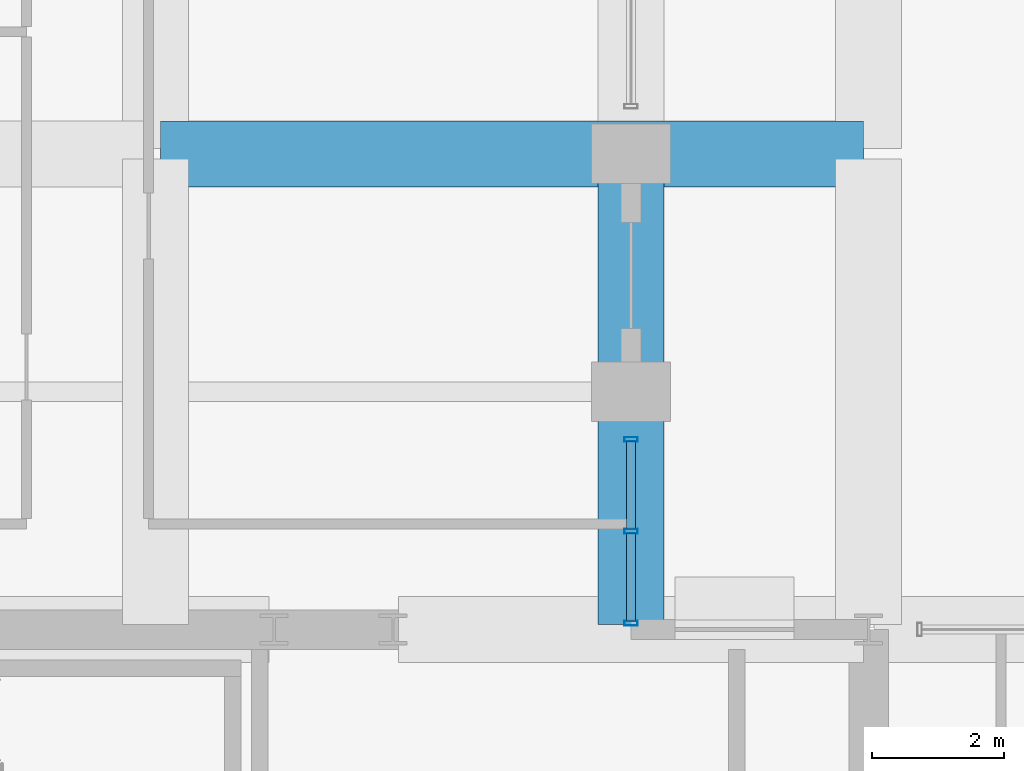
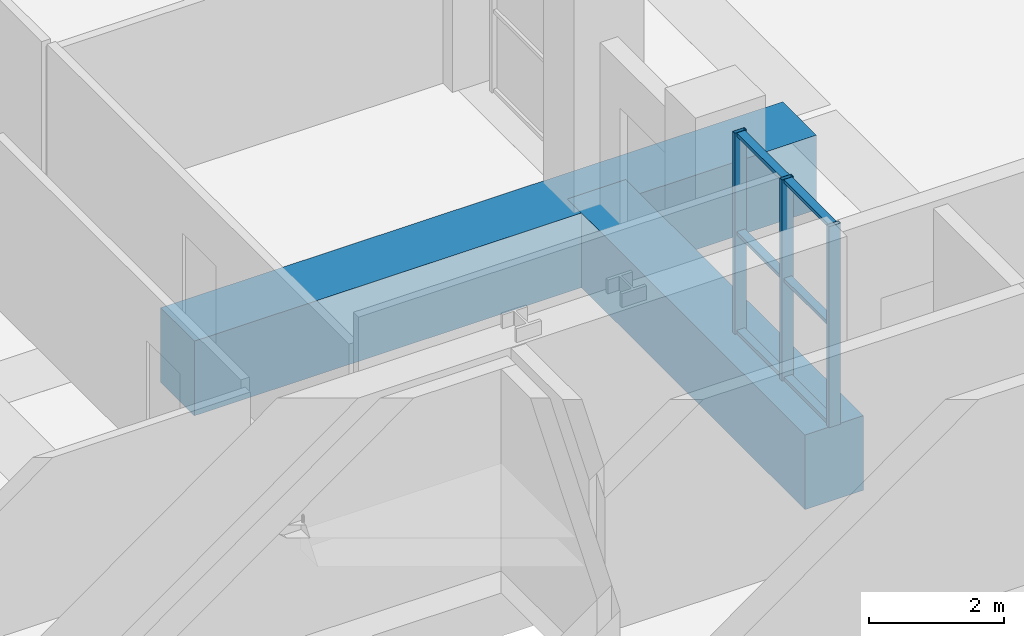
# One storey, part 10 of 39: 9 members, 2 beams, 1 element without a shape of its own.
"""IFC4 building model written with IfcOpenShell, lengths in metres."""

from ifc_helpers import new_model, si_unit, direction, frame, origin, origin_2d, place, context, subcontext, project, spatial, rectangle, hollow_rectangle, extrude, material, layer, layer_set, material_profile, profile_set, type_object, element, aggregate, save


model = new_model("IFC4")

# Units and contexts
model_context = context("Model", 3, precision=1e-05, world=origin(), true_north=direction((0.0, 1.0)))
body_context = subcontext(model_context, "Body", "Model", "MODEL_VIEW")
ifc_project = project(units=[si_unit("LENGTHUNIT", "METRE"), si_unit("AREAUNIT", "SQUARE_METRE"), si_unit("VOLUMEUNIT", "CUBIC_METRE"), si_unit("PLANEANGLEUNIT", "RADIAN"), si_unit("MASSUNIT", "GRAM", prefix="KILO")], contexts=[model_context])

# Site, building, storey
site_placement = place(None, origin())
site = spatial("IfcSite", under=ifc_project, at=site_placement, CompositionType="ELEMENT")
building_placement = place(site_placement, origin())
building = spatial("IfcBuilding", under=site, at=building_placement, Name="Solnavia Interchange Tower", CompositionType="ELEMENT")
storey_placement = place(building_placement, frame((0.0, 0.0, 24.0)))
storey = spatial("IfcBuildingStorey", under=building, at=storey_placement, Name="L05", CompositionType="ELEMENT", Elevation=24.0)

# Beams
ifc_material_1 = material(Name="Concrete C60/75", Category="concrete")
ifc_material_profile_1 = material_profile(ifc_material_1, rectangle(XDim=1.0, YDim=1.35009765625, at=origin_2d()), Name="RC 1000x1350")
ifc_profile_set_1 = profile_set([ifc_material_profile_1], Name="Concrete C60/75")
beam_type = type_object("IfcBeamType", Name="Beam-Transfer-RC1000x1350", PredefinedType="BEAM", material=ifc_profile_set_1)
beam_1_placement = place(storey_placement, frame((21.679931640625, 32.39990234375, -0.675048828125), z_axis=(1.0, 0.0, 0.0), x_axis=(0.0, 1.0, 0.0)))
element("IfcBeam", 1, at=beam_1_placement, inside=storey, type_object=beam_type, Name="TRB-L05-23 North primary transfer girder", PredefinedType="BEAM", context=body_context, shape_type="SweptSolid", body=[
    extrude(rectangle(XDim=1.0, YDim=1.35009765625, at=origin_2d()), origin(), (0.0, 0.0, 1.0), 10.64013671875),
])
beam_2_placement = place(storey_placement, frame((28.800048828125, 25.280029296875, -0.675048828125), z_axis=(0.0, 1.0, 0.0), x_axis=(-1.0, 0.0, 0.0)))
element("IfcBeam", 2, at=beam_2_placement, inside=storey, type_object=beam_type, Name="TRB-L05-62 North-east perimeter transfer girder", PredefinedType="BEAM", context=body_context, shape_type="SweptSolid", body=[
    extrude(rectangle(XDim=1.0, YDim=1.35009765625, at=origin_2d()), origin(), (0.0, 0.0, 1.0), 7.0400390625),
])

# Curtain wall, members
ifc_material_2 = material(Name="Aluminium Alloy 6063-T6", Category="aluminium")
ifc_layer = layer(ifc_material_2, 0.219970703125)
ifc_layer_set = layer_set([ifc_layer], Name="Aluminium Alloy 6063-T6")
curtain_wall_type = type_object("IfcCurtainWallType", Name="CurtainWall-Tower-CTW3", PredefinedType="NOTDEFINED", material=ifc_layer_set)
curtain_wall_placement = place(storey_placement, origin())
curtain_wall = element("IfcCurtainWall", 3, at=curtain_wall_placement, inside=storey, type_object=curtain_wall_type, Name="CTW-L05-S32 CTW-3 curtain wall", PredefinedType="NOTDEFINED")
ifc_material_profile_2 = material_profile(ifc_material_2, hollow_rectangle(XDim=0.070068359375, YDim=0.199951171875, WallThickness=0.0048828125, at=origin_2d()), Name="ALU 200x70x5")
ifc_profile_set_2 = profile_set([ifc_material_profile_2], Name="Aluminium Alloy 6063-T6")
member_type_1 = type_object("IfcMemberType", Name="CW-Mullion-CWM-3", PredefinedType="MULLION", material=ifc_profile_set_2)
member_1_placement = place(storey_placement, frame((28.800048828125, 25.294921875, 0.0), z_axis=(0.0, 0.0, 1.0), x_axis=(0.0, 1.0, 0.0)))
member_1 = element("IfcMember", 4, at=member_1_placement, type_object=member_type_1, Name="CTW-3 mullion 1", PredefinedType="MULLION", context=body_context, shape_type="SweptSolid", body=[
    extrude(hollow_rectangle(XDim=0.070068359375, YDim=0.199951171875, WallThickness=0.0048828125, at=origin_2d()), origin(), (0.0, 0.0, 1.0), 3.635009765625),
])
member_2_placement = place(storey_placement, frame((28.800048828125, 26.6875, 0.0), z_axis=(0.0, 0.0, 1.0), x_axis=(0.0, 1.0, 0.0)))
member_2 = element("IfcMember", 5, at=member_2_placement, type_object=member_type_1, Name="CTW-3 mullion 2", PredefinedType="MULLION", context=body_context, shape_type="SweptSolid", body=[
    extrude(hollow_rectangle(XDim=0.070068359375, YDim=0.199951171875, WallThickness=0.0048828125, at=origin_2d()), origin(), (0.0, 0.0, 1.0), 3.635009765625),
])
member_3_placement = place(storey_placement, frame((28.800048828125, 28.080078125, 0.0), z_axis=(0.0, 0.0, 1.0), x_axis=(0.0, 1.0, 0.0)))
member_3 = element("IfcMember", 6, at=member_3_placement, type_object=member_type_1, Name="CTW-3 mullion 3", PredefinedType="MULLION", context=body_context, shape_type="SweptSolid", body=[
    extrude(hollow_rectangle(XDim=0.070068359375, YDim=0.199951171875, WallThickness=0.0048828125, at=origin_2d()), origin(), (0.0, 0.0, 1.0), 3.635009765625),
])
ifc_material_profile_3 = material_profile(ifc_material_2, hollow_rectangle(XDim=0.06494140625, YDim=0.139892578125, WallThickness=0.00390625, at=origin_2d()), Name="ALU 140x65x4")
ifc_profile_set_3 = profile_set([ifc_material_profile_3], Name="Aluminium Alloy 6063-T6")
member_type_2 = type_object("IfcMemberType", Name="CW-Transom-CWT-3", PredefinedType="USERDEFINED", material=ifc_profile_set_3)
member_4_placement = place(storey_placement, frame((28.800048828125, 25.330078125, 0.032470703125), z_axis=(0.0, 1.0, 0.0), x_axis=(0.0, 0.0, 1.0)))
member_4 = element("IfcMember", 7, at=member_4_placement, type_object=member_type_2, Name="CTW-3 transom 1.1", ObjectType="TRANSOM", PredefinedType="USERDEFINED", context=body_context, shape_type="SweptSolid", body=[
    extrude(hollow_rectangle(XDim=0.06494140625, YDim=0.139892578125, WallThickness=0.00390625, at=origin_2d()), origin(), (0.0, 0.0, 1.0), 1.322509765625),
])
member_5_placement = place(storey_placement, frame((28.800048828125, 25.330078125, 1.818115234375), z_axis=(0.0, 1.0, 0.0), x_axis=(0.0, 0.0, 1.0)))
member_5 = element("IfcMember", 8, at=member_5_placement, type_object=member_type_2, Name="CTW-3 transom 1.2", ObjectType="TRANSOM", PredefinedType="USERDEFINED", context=body_context, shape_type="SweptSolid", body=[
    extrude(hollow_rectangle(XDim=0.06494140625, YDim=0.139892578125, WallThickness=0.00390625, at=origin_2d()), origin(), (0.0, 0.0, 1.0), 1.322509765625),
])
member_6_placement = place(storey_placement, frame((28.800048828125, 25.330078125, 3.6025390625), z_axis=(0.0, 1.0, 0.0), x_axis=(0.0, 0.0, 1.0)))
member_6 = element("IfcMember", 9, at=member_6_placement, type_object=member_type_2, Name="CTW-3 transom 1.3", ObjectType="TRANSOM", PredefinedType="USERDEFINED", context=body_context, shape_type="SweptSolid", body=[
    extrude(hollow_rectangle(XDim=0.06494140625, YDim=0.139892578125, WallThickness=0.00390625, at=origin_2d()), origin(), (0.0, 0.0, 1.0), 1.322509765625),
])
member_7_placement = place(storey_placement, frame((28.800048828125, 26.722412109375, 0.032470703125), z_axis=(0.0, 1.0, 0.0), x_axis=(0.0, 0.0, 1.0)))
member_7 = element("IfcMember", 10, at=member_7_placement, type_object=member_type_2, Name="CTW-3 transom 2.1", ObjectType="TRANSOM", PredefinedType="USERDEFINED", context=body_context, shape_type="SweptSolid", body=[
    extrude(hollow_rectangle(XDim=0.06494140625, YDim=0.139892578125, WallThickness=0.00390625, at=origin_2d()), origin(), (0.0, 0.0, 1.0), 1.322509765625),
])
member_8_placement = place(storey_placement, frame((28.800048828125, 26.722412109375, 1.818115234375), z_axis=(0.0, 1.0, 0.0), x_axis=(0.0, 0.0, 1.0)))
member_8 = element("IfcMember", 11, at=member_8_placement, type_object=member_type_2, Name="CTW-3 transom 2.2", ObjectType="TRANSOM", PredefinedType="USERDEFINED", context=body_context, shape_type="SweptSolid", body=[
    extrude(hollow_rectangle(XDim=0.06494140625, YDim=0.139892578125, WallThickness=0.00390625, at=origin_2d()), origin(), (0.0, 0.0, 1.0), 1.322509765625),
])
member_9_placement = place(storey_placement, frame((28.800048828125, 26.722412109375, 3.6025390625), z_axis=(0.0, 1.0, 0.0), x_axis=(0.0, 0.0, 1.0)))
member_9 = element("IfcMember", 12, at=member_9_placement, type_object=member_type_2, Name="CTW-3 transom 2.3", ObjectType="TRANSOM", PredefinedType="USERDEFINED", context=body_context, shape_type="SweptSolid", body=[
    extrude(hollow_rectangle(XDim=0.06494140625, YDim=0.139892578125, WallThickness=0.00390625, at=origin_2d()), origin(), (0.0, 0.0, 1.0), 1.322509765625),
])
aggregate(curtain_wall, [member_1, member_2, member_3, member_4, member_5, member_6, member_7, member_8, member_9])

save(model, "model.ifc")
